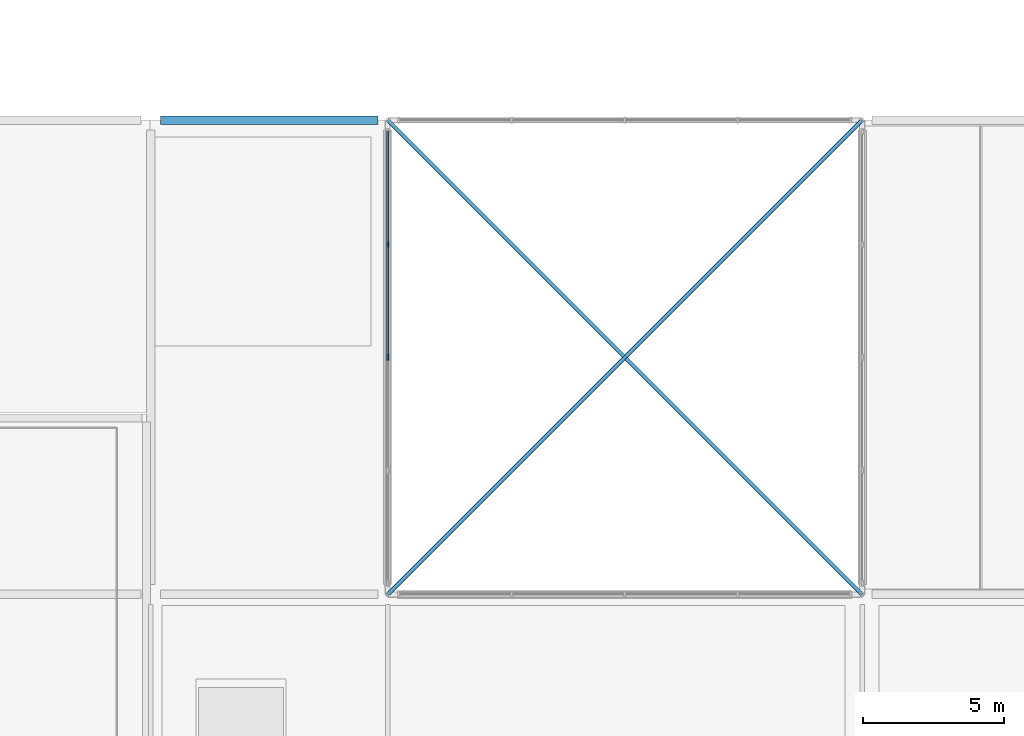
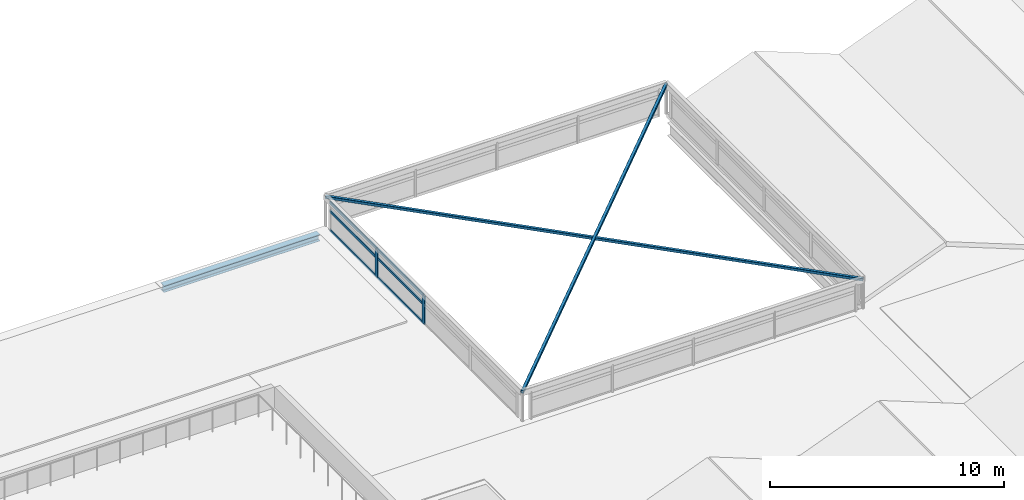
# One storey, part 63 of 81: 10 members, 1 beam, 1 element without a shape of its own.
"""IFC4 building model written with IfcOpenShell, lengths in metres."""

import ifcopenshell
import ifcopenshell.guid

model = None  # the IFC model being written
_history = None  # IfcOwnerHistory: only IFC2X3 demands one
_inside = {}  # id of a spatial element -> (the spatial element, [elements in it])
_under = {}  # id of a project, library or spatial element -> (it, [spatial elements below it])
_declared = {}  # id of a project -> (the project, [libraries it declares])
_typed = {}  # id of a type object -> (the type object, [elements of that type])
_made_of = {}  # id of a material, layer set ... -> (it, [elements and type objects made of it])


def new_model(schema):
    """Start an empty IFC model of exactly this schema.

    Asked for "IFC4X3", IfcOpenShell would pick the latest addendum, in which some entities
    have other attributes; the version numbers below select the first issue.
    IFC2X3 requires an IfcOwnerHistory on every rooted entity: one is made here for all.
    """
    global model, _history
    if schema == "IFC4X3":
        model = ifcopenshell.file(schema_version=(4, 3, 0, 0))
    else:
        model = ifcopenshell.file(schema=schema)
    _inside.clear()
    _under.clear()
    _declared.clear()
    _typed.clear()
    _made_of.clear()
    _history = None
    if model.schema == "IFC2X3":
        org = make("IfcOrganization", Name="unknown")
        user = make(
            "IfcPersonAndOrganization",
            ThePerson=make("IfcPerson", FamilyName="unknown"),
            TheOrganization=org,
        )
        app = make(
            "IfcApplication",
            ApplicationDeveloper=org,
            Version="unknown",
            ApplicationFullName="unknown",
            ApplicationIdentifier="unknown",
        )
        _history = make(
            "IfcOwnerHistory",
            OwningUser=user,
            OwningApplication=app,
            ChangeAction="ADDED",
            CreationDate=0,
        )
    return model


def make(cls, **values):
    """One entity of the class cls with the attributes given. An attribute that is None is left unset."""
    return model.create_entity(
        cls, **{name: value for name, value in values.items() if value is not None}
    )


def rooted(cls, **values):
    """An entity with a GlobalId (a new one), such as an element, a storey or a relation."""
    return make(cls, GlobalId=ifcopenshell.guid.new(), OwnerHistory=_history, **values)


def si_unit(unit_type, name, prefix=None):
    """IfcSIUnit, for example si_unit("LENGTHUNIT", "METRE", prefix="MILLI")."""
    return make("IfcSIUnit", UnitType=unit_type, Prefix=prefix, Name=name)


def assignment(units):
    """IfcUnitAssignment: the units of a project."""
    return None if units is None else make("IfcUnitAssignment", Units=units)


def point(xyz):
    """IfcCartesianPoint."""
    return None if xyz is None else make("IfcCartesianPoint", Coordinates=xyz)


def direction(xyz):
    """IfcDirection."""
    return None if xyz is None else make("IfcDirection", DirectionRatios=xyz)


def frame(location, z_axis=None, x_axis=None):
    """IfcAxis2Placement3D, a coordinate frame: its origin and axes. An axis left out is left unset."""
    return make(
        "IfcAxis2Placement3D",
        Location=point(location),
        Axis=direction(z_axis),
        RefDirection=direction(x_axis),
    )


def frame_2d(location, x_axis=None):
    """IfcAxis2Placement2D, a coordinate frame in the plane: its origin and x axis."""
    return make(
        "IfcAxis2Placement2D", Location=point(location), RefDirection=direction(x_axis)
    )


def origin():
    """The frame at (0, 0, 0) with its axes left unset."""
    return frame((0.0, 0.0, 0.0))


def origin_2d():
    """The frame at (0, 0) in the plane with its x axis left unset."""
    return frame_2d((0.0, 0.0))


def place(relative_to, where):
    """IfcLocalPlacement: puts the frame where relative to a parent placement (None: the world)."""
    return make(
        "IfcLocalPlacement", PlacementRelTo=relative_to, RelativePlacement=where
    )


def context(
    kind, dimensions, precision=None, world=None, true_north=None, identifier=None
):
    """IfcGeometricRepresentationContext, for example the 3D "Model" context."""
    return make(
        "IfcGeometricRepresentationContext",
        ContextIdentifier=identifier,
        ContextType=kind,
        CoordinateSpaceDimension=dimensions,
        Precision=precision,
        WorldCoordinateSystem=world,
        TrueNorth=true_north,
    )


def subcontext(parent, identifier, kind, view, scale=None):
    """IfcGeometricRepresentationSubContext, for example "Body" below "Model"."""
    return make(
        "IfcGeometricRepresentationSubContext",
        ContextIdentifier=identifier,
        ContextType=kind,
        ParentContext=parent,
        TargetScale=scale,
        TargetView=view,
    )


def project(units=None, contexts=None):
    """IfcProject with its units and contexts."""
    return rooted(
        "IfcProject",
        Name="project",
        RepresentationContexts=contexts,
        UnitsInContext=assignment(units),
    )


def spatial(cls, under=None, at=None, **own):
    """A site, building, storey or space (cls), placed at a placement, below another one or the project."""
    s = rooted(cls, ObjectPlacement=at, **own)
    if under is not None:
        _under.setdefault(under.id(), (under, []))[1].append(s)
    return s


def profile(cls, at=None, kind="AREA", **sizes):
    """A parametric profile (cls). Its sizes go by their IFC names, for example OverallWidth=200.0."""
    return make(cls, ProfileType=kind, Position=at, **sizes)


def rectangle(**sizes):
    """IfcRectangleProfileDef."""
    return profile("IfcRectangleProfileDef", **sizes)


def hollow_rectangle(**sizes):
    """IfcRectangleHollowProfileDef."""
    return profile("IfcRectangleHollowProfileDef", **sizes)


def i_section(**sizes):
    """IfcIShapeProfileDef."""
    return profile("IfcIShapeProfileDef", **sizes)


def extrude(swept, where, along, depth):
    """IfcExtrudedAreaSolid: the profile swept, set in the frame where, extruded along a direction by depth."""
    return make(
        "IfcExtrudedAreaSolid",
        SweptArea=swept,
        Position=where,
        ExtrudedDirection=direction(along),
        Depth=depth,
    )


def shape(context_of_items, identifier, shape_type, items):
    """IfcShapeRepresentation: the items that make up one representation, for example the "Body"."""
    return make(
        "IfcShapeRepresentation",
        ContextOfItems=context_of_items,
        RepresentationIdentifier=identifier,
        RepresentationType=shape_type,
        Items=items,
    )


def material(Name=None, Category=None):
    """IfcMaterial."""
    return make("IfcMaterial", Name=Name, Category=Category)


def layer(
    of_material, thickness, ventilated=None, Name=None, Category=None, Priority=None
):
    """IfcMaterialLayer: one layer of a wall or slab, of a material (None: an air gap)."""
    return make(
        "IfcMaterialLayer",
        Material=of_material,
        LayerThickness=thickness,
        IsVentilated=ventilated,
        Name=Name,
        Category=Category,
        Priority=Priority,
    )


def layer_set(layers, Name=None):
    """IfcMaterialLayerSet."""
    return make("IfcMaterialLayerSet", MaterialLayers=layers, LayerSetName=Name)


def material_profile(
    of_material, cross_section, Name=None, Category=None, Priority=None
):
    """IfcMaterialProfile: a cross section and its material."""
    return make(
        "IfcMaterialProfile",
        Name=Name,
        Material=of_material,
        Profile=cross_section,
        Priority=Priority,
        Category=Category,
    )


def profile_set(profiles, Name=None, composite=None):
    """IfcMaterialProfileSet."""
    return make(
        "IfcMaterialProfileSet",
        Name=Name,
        MaterialProfiles=profiles,
        CompositeProfile=composite,
    )


def made_of(thing, what):
    """Note that an element or type object is made of a material, layer set ...; save() writes the relation."""
    if what is not None:
        _made_of.setdefault(what.id(), (what, []))[1].append(thing)
    return thing


def type_object(cls, material=None, **own):
    """A type object (cls), such as IfcWallType, which elements share."""
    return made_of(rooted(cls, **own), material)


def element(
    cls,
    number,
    at=None,
    inside=None,
    cuts=None,
    type_object=None,
    material=None,
    context=None,
    identifier="Body",
    shape_type=None,
    held_by="IfcProductDefinitionShape",
    body=None,
    shapes=None,
    **own,
):
    """One element of the class cls, such as IfcWall. Its Tag is "e" and its number.

    at: its placement. inside: the storey or other place that contains it. cuts: it is an
    opening in that element (IfcRelVoidsElement). A single representation is given by context,
    identifier, shape_type and body (its items); several are given by shapes. held_by: the class
    of the entity that holds the representations. save() writes the other relations.
    """
    e = rooted(cls, Tag="e%d" % number, ObjectPlacement=at, **own)
    if body is not None:
        shapes = [shape(context, identifier, shape_type, body)]
    if shapes is not None:
        e.Representation = make(held_by, Representations=shapes)
    if inside is not None:
        _inside.setdefault(inside.id(), (inside, []))[1].append(e)
    if cuts is not None:
        rooted(
            "IfcRelVoidsElement", RelatingBuildingElement=cuts, RelatedOpeningElement=e
        )
    if type_object is not None:
        _typed.setdefault(type_object.id(), (type_object, []))[1].append(e)
    return made_of(e, material)


def aggregate(whole, parts):
    """IfcRelAggregates: a whole, such as a stair, and the parts it consists of."""
    return rooted("IfcRelAggregates", RelatingObject=whole, RelatedObjects=parts)


def save(model, path):
    """Write the relations noted so far, then the file.

    IfcRelAggregates (storeys below a building ...), IfcRelContainedInSpatialStructure (elements
    in a storey), IfcRelDefinesByType, IfcRelAssociatesMaterial and IfcRelDeclares: one each for
    every whole, place, type object, material and project.
    """
    for whole, parts in _under.values():
        aggregate(whole, parts)
    for where, things in _inside.values():
        rooted(
            "IfcRelContainedInSpatialStructure",
            RelatedElements=things,
            RelatingStructure=where,
        )
    for kind, things in _typed.values():
        rooted("IfcRelDefinesByType", RelatedObjects=things, RelatingType=kind)
    for what, things in _made_of.values():
        rooted("IfcRelAssociatesMaterial", RelatedObjects=things, RelatingMaterial=what)
    for by, libraries in _declared.values():
        rooted("IfcRelDeclares", RelatingContext=by, RelatedDefinitions=libraries)
    model.write(path)


model = new_model("IFC4")

# Units and contexts
model_context = context("Model", 3, precision=1e-05, world=origin(), true_north=direction((0.0, 1.0)))
body_context = subcontext(model_context, "Body", "Model", "MODEL_VIEW")
ifc_project = project(units=[si_unit("LENGTHUNIT", "METRE"), si_unit("AREAUNIT", "SQUARE_METRE"), si_unit("VOLUMEUNIT", "CUBIC_METRE"), si_unit("PLANEANGLEUNIT", "RADIAN"), si_unit("MASSUNIT", "GRAM", prefix="KILO")], contexts=[model_context])

# Site, building, storey
site_placement = place(None, origin())
site = spatial("IfcSite", under=ifc_project, at=site_placement, CompositionType="ELEMENT")
building_placement = place(site_placement, origin())
building = spatial("IfcBuilding", under=site, at=building_placement, Name="Qawsi Khor Wholesale Market", CompositionType="ELEMENT")
storey_placement = place(building_placement, frame((0.0, 0.0, 16.199951171875)))
storey = spatial("IfcBuildingStorey", under=building, at=storey_placement, Name="L03", CompositionType="ELEMENT", Elevation=16.199951171875)

# Curtain wall, members
ifc_material_1 = material(Name="Aluminium Anodised Bronze", Category="aluminium")
ifc_layer = layer(ifc_material_1, 0.179931640625, Name="Aluminium Anodised Bronze")
ifc_layer_set = layer_set([ifc_layer], Name="Aluminium Anodised Bronze")
curtain_wall_type = type_object("IfcCurtainWallType", Name="Atrium Full-Height Curtain Wall CW-02", PredefinedType="NOTDEFINED", material=ifc_layer_set)
curtain_wall_placement = place(storey_placement, origin())
curtain_wall = element("IfcCurtainWall", 1, at=curtain_wall_placement, inside=storey, type_object=curtain_wall_type, Name="Curtain wall CW-CW-02-L03-052", PredefinedType="NOTDEFINED")
ifc_material_profile_1 = material_profile(ifc_material_1, rectangle(XDim=0.070068359375, YDim=0.199951171875, at=origin_2d()), Name="ALU MULLION 70x200")
ifc_profile_set_1 = profile_set([ifc_material_profile_1], Name="Aluminium Anodised Bronze")
member_type_1 = type_object("IfcMemberType", Name="Curtain Wall Mullion CW-02 ALU MULLION 70x200", PredefinedType="MULLION", material=ifc_profile_set_1)
member_1_placement = place(storey_placement, frame((151.199951171875, 33.60009765625, -0.02001953125), z_axis=(0.0, 0.0, 1.0), x_axis=(1.0, 0.0, 0.0)))
member_1 = element("IfcMember", 2, at=member_1_placement, type_object=member_type_1, Name="Mullion CW-CW-02-L03-052-M02", PredefinedType="MULLION", context=body_context, shape_type="SweptSolid", body=[
    extrude(rectangle(XDim=0.070068359375, YDim=0.199951171875, at=origin_2d()), origin(), (0.0, 0.0, 1.0), 1.469970703125),
])
member_2_placement = place(storey_placement, frame((151.199951171875, 37.6025390625, -0.02001953125), z_axis=(0.0, 0.0, 1.0), x_axis=(1.0, 0.0, 0.0)))
member_2 = element("IfcMember", 3, at=member_2_placement, type_object=member_type_1, Name="Mullion CW-CW-02-L03-052-M03", PredefinedType="MULLION", context=body_context, shape_type="SweptSolid", body=[
    extrude(rectangle(XDim=0.070068359375, YDim=0.199951171875, at=origin_2d()), origin(), (0.0, 0.0, 1.0), 1.469970703125),
])
ifc_material_profile_2 = material_profile(ifc_material_1, rectangle(XDim=0.06494140625, YDim=0.139892578125, at=origin_2d()), Name="ALU TRANSOM 65x140")
ifc_profile_set_2 = profile_set([ifc_material_profile_2], Name="Aluminium Anodised Bronze")
member_type_2 = type_object("IfcMemberType", Name="Curtain Wall Transom CW-02 ALU TRANSOM 65x140", PredefinedType="USERDEFINED", material=ifc_profile_set_2)
member_3_placement = place(storey_placement, frame((151.199951171875, 33.60009765625, 0.0), z_axis=(0.0, 1.0, 0.0), x_axis=(-1.0, 0.0, 0.0)))
member_3 = element("IfcMember", 4, at=member_3_placement, type_object=member_type_2, Name="Transom CW-CW-02-L03-052-T0_02", ObjectType="TRANSOM", PredefinedType="USERDEFINED", context=body_context, shape_type="SweptSolid", body=[
    extrude(rectangle(XDim=0.06494140625, YDim=0.139892578125, at=origin_2d()), origin(), (0.0, 0.0, 1.0), 4.00244140625),
])
member_4_placement = place(storey_placement, frame((151.199951171875, 37.6025390625, 0.0), z_axis=(0.0, 1.0, 0.0), x_axis=(-1.0, 0.0, 0.0)))
member_4 = element("IfcMember", 5, at=member_4_placement, type_object=member_type_2, Name="Transom CW-CW-02-L03-052-T0_03", ObjectType="TRANSOM", PredefinedType="USERDEFINED", context=body_context, shape_type="SweptSolid", body=[
    extrude(rectangle(XDim=0.06494140625, YDim=0.139892578125, at=origin_2d()), origin(), (0.0, 0.0, 1.0), 4.00244140625),
])
member_5_placement = place(storey_placement, frame((151.199951171875, 33.60009765625, 1.0), z_axis=(0.0, 1.0, 0.0), x_axis=(-1.0, 0.0, 0.0)))
member_5 = element("IfcMember", 6, at=member_5_placement, type_object=member_type_2, Name="Transom CW-CW-02-L03-052-T1_02", ObjectType="TRANSOM", PredefinedType="USERDEFINED", context=body_context, shape_type="SweptSolid", body=[
    extrude(rectangle(XDim=0.06494140625, YDim=0.139892578125, at=origin_2d()), origin(), (0.0, 0.0, 1.0), 4.00244140625),
])
member_6_placement = place(storey_placement, frame((151.199951171875, 37.6025390625, 1.0), z_axis=(0.0, 1.0, 0.0), x_axis=(-1.0, 0.0, 0.0)))
member_6 = element("IfcMember", 7, at=member_6_placement, type_object=member_type_2, Name="Transom CW-CW-02-L03-052-T1_03", ObjectType="TRANSOM", PredefinedType="USERDEFINED", context=body_context, shape_type="SweptSolid", body=[
    extrude(rectangle(XDim=0.06494140625, YDim=0.139892578125, at=origin_2d()), origin(), (0.0, 0.0, 1.0), 4.00244140625),
])
member_7_placement = place(storey_placement, frame((151.199951171875, 33.60009765625, 1.449951171875), z_axis=(0.0, 1.0, 0.0), x_axis=(-1.0, 0.0, 0.0)))
member_7 = element("IfcMember", 8, at=member_7_placement, type_object=member_type_2, Name="Transom CW-CW-02-L03-052-T2_02", ObjectType="TRANSOM", PredefinedType="USERDEFINED", context=body_context, shape_type="SweptSolid", body=[
    extrude(rectangle(XDim=0.06494140625, YDim=0.139892578125, at=origin_2d()), origin(), (0.0, 0.0, 1.0), 4.00244140625),
])
member_8_placement = place(storey_placement, frame((151.199951171875, 37.6025390625, 1.449951171875), z_axis=(0.0, 1.0, 0.0), x_axis=(-1.0, 0.0, 0.0)))
member_8 = element("IfcMember", 9, at=member_8_placement, type_object=member_type_2, Name="Transom CW-CW-02-L03-052-T2_03", ObjectType="TRANSOM", PredefinedType="USERDEFINED", context=body_context, shape_type="SweptSolid", body=[
    extrude(rectangle(XDim=0.06494140625, YDim=0.139892578125, at=origin_2d()), origin(), (0.0, 0.0, 1.0), 4.00244140625),
])
aggregate(curtain_wall, [member_1, member_2, member_3, member_4, member_5, member_6, member_7, member_8])

# Members
ifc_material_2 = material(Name="Steel S355", Category="steel")
ifc_material_profile_3 = material_profile(ifc_material_2, hollow_rectangle(XDim=0.139892578125, YDim=0.139892578125, WallThickness=0.008056640625, InnerFilletRadius=0.008056640625, OuterFilletRadius=0.01611328125, at=origin_2d()), Name="SHS 140x140x8.0")
ifc_profile_set_3 = profile_set([ifc_material_profile_3], Name="Steel S355")
member_type_3 = type_object("IfcMemberType", Name="Lantern Sub-Brace SHS 140x140x8.0", PredefinedType="BRACE", material=ifc_profile_set_3)
for number, where, z_axis, x_axis, name in (
    (10, (151.199951171875, 25.199951171875, 1.5), (0.707106781187, 0.707106781187, 0.0), (-0.707106781187, 0.707106781187, 0.0), "Atrium lantern roof brace EAT-1"),
    (11, (168.0, 25.199951171875, 1.5), (-0.707106781187, 0.707106781187, 0.0), (-0.707106781187, -0.707106781187, 0.0), "Atrium lantern roof brace EAT-2"),
):
    element("IfcMember", number, at=place(storey_placement, frame(where, z_axis=z_axis, x_axis=x_axis)), inside=storey, type_object=member_type_3, Name=name, PredefinedType="BRACE", context=body_context, shape_type="SweptSolid", body=[
        extrude(hollow_rectangle(XDim=0.139892578125, YDim=0.139892578125, WallThickness=0.008056640625, InnerFilletRadius=0.008056640625, OuterFilletRadius=0.01611328125, at=origin_2d()), origin(), (0.0, 0.0, 1.0), 23.7587890625),
    ])

# Beam
ifc_material_profile_4 = material_profile(ifc_material_2, i_section(OverallWidth=0.300048828125, OverallDepth=0.35009765625, WebThickness=0.010009765625, FlangeThickness=0.017578125, FilletRadius=0.027099609375, at=origin_2d()), Name="HEA 360")
ifc_profile_set_4 = profile_set([ifc_material_profile_4], Name="Steel S355")
beam_type = type_object("IfcBeamType", Name="Primary Girder HEA 360", PredefinedType="BEAM", material=ifc_profile_set_4)
beam_placement = place(storey_placement, frame((143.14990234375, 42.0, -0.425048828125), z_axis=(1.0, 0.0, 0.0), x_axis=(0.0, 1.0, 0.0)))
element("IfcBeam", 12, at=beam_placement, inside=storey, type_object=beam_type, Name="BM-X-L03-17_+05", PredefinedType="BEAM", context=body_context, shape_type="SweptSolid", body=[
    extrude(i_section(OverallWidth=0.300048828125, OverallDepth=0.35009765625, WebThickness=0.010009765625, FlangeThickness=0.017578125, FilletRadius=0.027099609375, at=origin_2d()), origin(), (0.0, 0.0, 1.0), 7.7001953125),
])

save(model, "model.ifc")
